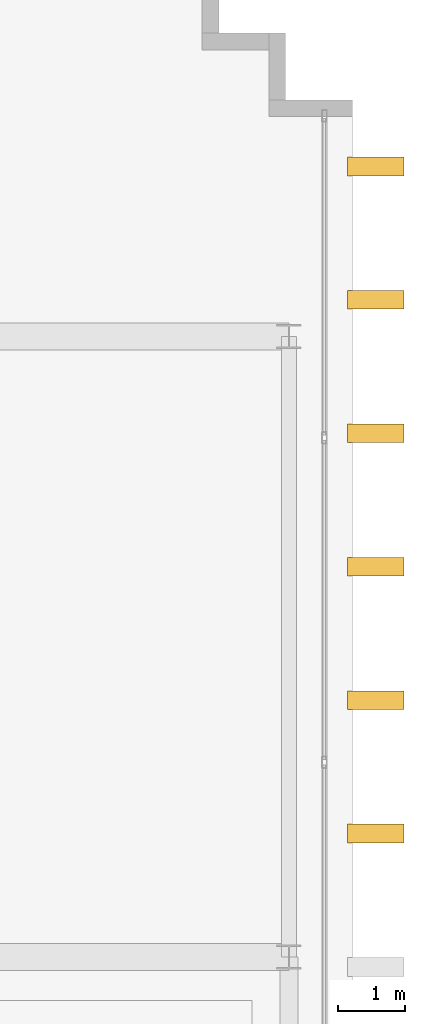
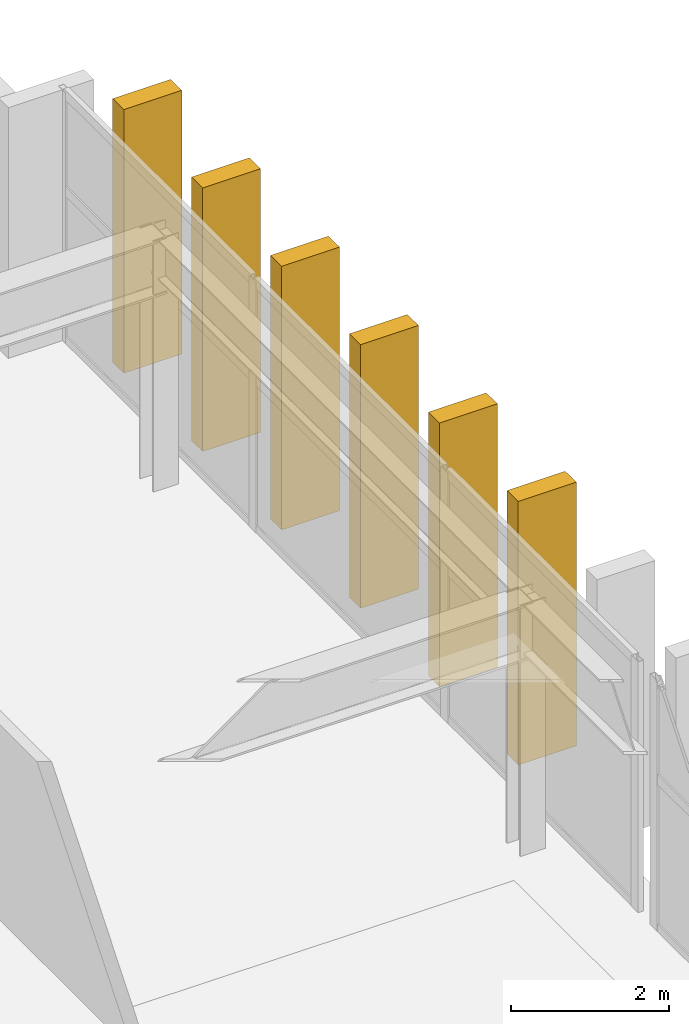
# One storey, part 15 of 15: 6 shading devices.
"""IFC4 building model written with IfcOpenShell, lengths in metres."""

from ifc_helpers import new_model, si_unit, direction, frame, origin, origin_2d, place, context, subcontext, project, spatial, rectangle, extrude, source, transform, mapped, material, type_object, element, save


model = new_model("IFC4")

# Units and contexts
model_context = context("Model", 3, precision=1e-05, world=origin(), true_north=direction((0.0, 1.0)))
body_context = subcontext(model_context, "Body", "Model", "MODEL_VIEW")
ifc_project = project(units=[si_unit("LENGTHUNIT", "METRE"), si_unit("AREAUNIT", "SQUARE_METRE"), si_unit("VOLUMEUNIT", "CUBIC_METRE"), si_unit("PLANEANGLEUNIT", "RADIAN"), si_unit("MASSUNIT", "GRAM", prefix="KILO")], contexts=[model_context])

# Site, building, storey
site_placement = place(None, origin())
site = spatial("IfcSite", under=ifc_project, at=site_placement, CompositionType="ELEMENT")
building_placement = place(site_placement, origin())
building = spatial("IfcBuilding", under=site, at=building_placement, Name="Ocotamira Hotel", CompositionType="ELEMENT")
storey_placement = place(building_placement, frame((0.0, 0.0, 305.39990234375)))
storey = spatial("IfcBuildingStorey", under=building, at=storey_placement, Name="L78", CompositionType="ELEMENT", Elevation=305.39990234375)

# Shading devices
ifc_material = material(Name="Pale-metal anodised aluminium architectural fin", Category="aluminium")
shading_device_type = type_object("IfcShadingDeviceType", Name="SHD-PIER-850", PredefinedType="USERDEFINED", material=ifc_material)
shared_shape = source(origin(), body_context, "Body", "SweptSolid", [
    extrude(rectangle(XDim=0.85009765625, YDim=0.280029296875, at=origin_2d()), origin(), (0.0, 0.0, 1.0), 4.080078125),
])
for number, where, z_axis, x_axis, name in (
    (1, (33.35009765625, 30.0, -0.099853515625), (0.0, 0.0, 1.0), (1.0, 0.0, 0.0), "L78 West Peak Vertical Pier X33 Y30"),
    (2, (33.35009765625, 32.0, -0.099853515625), (0.0, 0.0, 1.0), (1.0, 0.0, 0.0), "L78 West Peak Vertical Pier X33 Y32"),
    (3, (33.35009765625, 34.0, -0.099853515625), (0.0, 0.0, 1.0), (1.0, 0.0, 0.0), "L78 West Peak Vertical Pier X33 Y34"),
    (4, (33.35009765625, 36.0, -0.099853515625), (0.0, 0.0, 1.0), (1.0, 0.0, 0.0), "L78 West Peak Vertical Pier X33 Y36"),
    (5, (33.35009765625, 38.0, -0.099853515625), (0.0, 0.0, 1.0), (1.0, 0.0, 0.0), "L78 West Peak Vertical Pier X33 Y38"),
    (6, (33.35009765625, 40.0, -0.099853515625), (0.0, 0.0, 1.0), (1.0, 0.0, 0.0), "L78 West Peak Vertical Pier X33 Y40"),
):
    element("IfcShadingDevice", number, at=place(storey_placement, frame(where, z_axis=z_axis, x_axis=x_axis)), inside=storey, type_object=shading_device_type, Name=name, ObjectType="FIN", PredefinedType="USERDEFINED", context=body_context, shape_type="MappedRepresentation", body=[
        mapped(shared_shape, transform((0.0, 0.0, 0.0), scale=1.0)),
    ])

save(model, "model.ifc")
